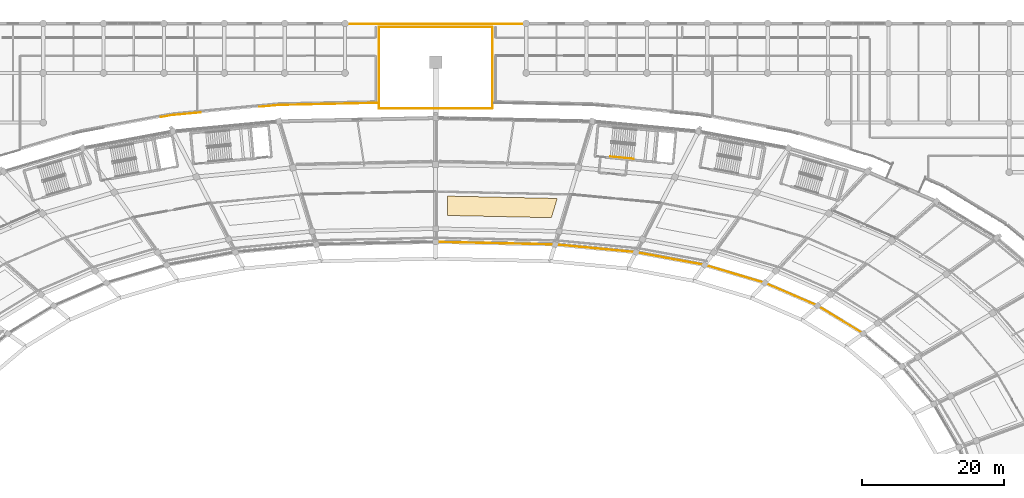
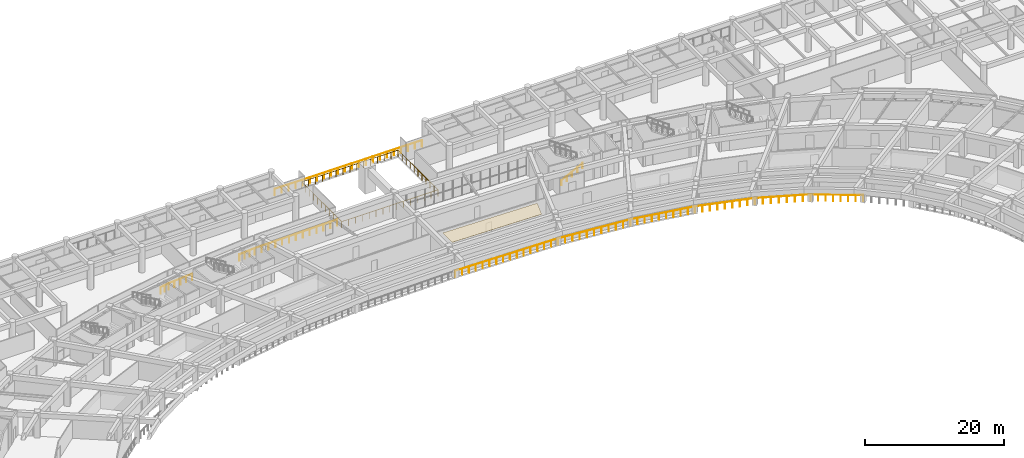
# One storey, part 141 of 145: 7 railings, 1 covering.
"""IFC4 building model written with IfcOpenShell, lengths in metres."""

import ifcopenshell
import ifcopenshell.guid

model = None  # the IFC model being written
_history = None  # IfcOwnerHistory: only IFC2X3 demands one
_inside = {}  # id of a spatial element -> (the spatial element, [elements in it])
_under = {}  # id of a project, library or spatial element -> (it, [spatial elements below it])
_declared = {}  # id of a project -> (the project, [libraries it declares])
_typed = {}  # id of a type object -> (the type object, [elements of that type])
_made_of = {}  # id of a material, layer set ... -> (it, [elements and type objects made of it])


def new_model(schema):
    """Start an empty IFC model of exactly this schema.

    Asked for "IFC4X3", IfcOpenShell would pick the latest addendum, in which some entities
    have other attributes; the version numbers below select the first issue.
    IFC2X3 requires an IfcOwnerHistory on every rooted entity: one is made here for all.
    """
    global model, _history
    if schema == "IFC4X3":
        model = ifcopenshell.file(schema_version=(4, 3, 0, 0))
    else:
        model = ifcopenshell.file(schema=schema)
    _inside.clear()
    _under.clear()
    _declared.clear()
    _typed.clear()
    _made_of.clear()
    _history = None
    if model.schema == "IFC2X3":
        org = make("IfcOrganization", Name="unknown")
        user = make(
            "IfcPersonAndOrganization",
            ThePerson=make("IfcPerson", FamilyName="unknown"),
            TheOrganization=org,
        )
        app = make(
            "IfcApplication",
            ApplicationDeveloper=org,
            Version="unknown",
            ApplicationFullName="unknown",
            ApplicationIdentifier="unknown",
        )
        _history = make(
            "IfcOwnerHistory",
            OwningUser=user,
            OwningApplication=app,
            ChangeAction="ADDED",
            CreationDate=0,
        )
    return model


def make(cls, **values):
    """One entity of the class cls with the attributes given. An attribute that is None is left unset."""
    return model.create_entity(
        cls, **{name: value for name, value in values.items() if value is not None}
    )


def rooted(cls, **values):
    """An entity with a GlobalId (a new one), such as an element, a storey or a relation."""
    return make(cls, GlobalId=ifcopenshell.guid.new(), OwnerHistory=_history, **values)


def si_unit(unit_type, name, prefix=None):
    """IfcSIUnit, for example si_unit("LENGTHUNIT", "METRE", prefix="MILLI")."""
    return make("IfcSIUnit", UnitType=unit_type, Prefix=prefix, Name=name)


def assignment(units):
    """IfcUnitAssignment: the units of a project."""
    return None if units is None else make("IfcUnitAssignment", Units=units)


def point(xyz):
    """IfcCartesianPoint."""
    return None if xyz is None else make("IfcCartesianPoint", Coordinates=xyz)


def direction(xyz):
    """IfcDirection."""
    return None if xyz is None else make("IfcDirection", DirectionRatios=xyz)


def frame(location, z_axis=None, x_axis=None):
    """IfcAxis2Placement3D, a coordinate frame: its origin and axes. An axis left out is left unset."""
    return make(
        "IfcAxis2Placement3D",
        Location=point(location),
        Axis=direction(z_axis),
        RefDirection=direction(x_axis),
    )


def frame_2d(location, x_axis=None):
    """IfcAxis2Placement2D, a coordinate frame in the plane: its origin and x axis."""
    return make(
        "IfcAxis2Placement2D", Location=point(location), RefDirection=direction(x_axis)
    )


def origin():
    """The frame at (0, 0, 0) with its axes left unset."""
    return frame((0.0, 0.0, 0.0))


def origin_2d():
    """The frame at (0, 0) in the plane with its x axis left unset."""
    return frame_2d((0.0, 0.0))


def place(relative_to, where):
    """IfcLocalPlacement: puts the frame where relative to a parent placement (None: the world)."""
    return make(
        "IfcLocalPlacement", PlacementRelTo=relative_to, RelativePlacement=where
    )


def context(
    kind, dimensions, precision=None, world=None, true_north=None, identifier=None
):
    """IfcGeometricRepresentationContext, for example the 3D "Model" context."""
    return make(
        "IfcGeometricRepresentationContext",
        ContextIdentifier=identifier,
        ContextType=kind,
        CoordinateSpaceDimension=dimensions,
        Precision=precision,
        WorldCoordinateSystem=world,
        TrueNorth=true_north,
    )


def subcontext(parent, identifier, kind, view, scale=None):
    """IfcGeometricRepresentationSubContext, for example "Body" below "Model"."""
    return make(
        "IfcGeometricRepresentationSubContext",
        ContextIdentifier=identifier,
        ContextType=kind,
        ParentContext=parent,
        TargetScale=scale,
        TargetView=view,
    )


def project(units=None, contexts=None):
    """IfcProject with its units and contexts."""
    return rooted(
        "IfcProject",
        Name="project",
        RepresentationContexts=contexts,
        UnitsInContext=assignment(units),
    )


def spatial(cls, under=None, at=None, **own):
    """A site, building, storey or space (cls), placed at a placement, below another one or the project."""
    s = rooted(cls, ObjectPlacement=at, **own)
    if under is not None:
        _under.setdefault(under.id(), (under, []))[1].append(s)
    return s


def polyline(points):
    """IfcPolyline through the points."""
    return make("IfcPolyline", Points=[point(p) for p in points])


def profile(cls, at=None, kind="AREA", **sizes):
    """A parametric profile (cls). Its sizes go by their IFC names, for example OverallWidth=200.0."""
    return make(cls, ProfileType=kind, Position=at, **sizes)


def circle(**sizes):
    """IfcCircleProfileDef."""
    return profile("IfcCircleProfileDef", **sizes)


def outline(outer, holes=None, kind="AREA"):
    """IfcArbitraryClosedProfileDef: a profile drawn as a closed curve; with holes, ...WithVoids."""
    if holes is None:
        return make("IfcArbitraryClosedProfileDef", ProfileType=kind, OuterCurve=outer)
    return make(
        "IfcArbitraryProfileDefWithVoids",
        ProfileType=kind,
        OuterCurve=outer,
        InnerCurves=holes,
    )


def extrude(swept, where, along, depth):
    """IfcExtrudedAreaSolid: the profile swept, set in the frame where, extruded along a direction by depth."""
    return make(
        "IfcExtrudedAreaSolid",
        SweptArea=swept,
        Position=where,
        ExtrudedDirection=direction(along),
        Depth=depth,
    )


def shape(context_of_items, identifier, shape_type, items):
    """IfcShapeRepresentation: the items that make up one representation, for example the "Body"."""
    return make(
        "IfcShapeRepresentation",
        ContextOfItems=context_of_items,
        RepresentationIdentifier=identifier,
        RepresentationType=shape_type,
        Items=items,
    )


def material(Name=None, Category=None):
    """IfcMaterial."""
    return make("IfcMaterial", Name=Name, Category=Category)


def layer(
    of_material, thickness, ventilated=None, Name=None, Category=None, Priority=None
):
    """IfcMaterialLayer: one layer of a wall or slab, of a material (None: an air gap)."""
    return make(
        "IfcMaterialLayer",
        Material=of_material,
        LayerThickness=thickness,
        IsVentilated=ventilated,
        Name=Name,
        Category=Category,
        Priority=Priority,
    )


def layer_set(layers, Name=None):
    """IfcMaterialLayerSet."""
    return make("IfcMaterialLayerSet", MaterialLayers=layers, LayerSetName=Name)


def made_of(thing, what):
    """Note that an element or type object is made of a material, layer set ...; save() writes the relation."""
    if what is not None:
        _made_of.setdefault(what.id(), (what, []))[1].append(thing)
    return thing


def type_object(cls, material=None, **own):
    """A type object (cls), such as IfcWallType, which elements share."""
    return made_of(rooted(cls, **own), material)


def element(
    cls,
    number,
    at=None,
    inside=None,
    cuts=None,
    type_object=None,
    material=None,
    context=None,
    identifier="Body",
    shape_type=None,
    held_by="IfcProductDefinitionShape",
    body=None,
    shapes=None,
    **own,
):
    """One element of the class cls, such as IfcWall. Its Tag is "e" and its number.

    at: its placement. inside: the storey or other place that contains it. cuts: it is an
    opening in that element (IfcRelVoidsElement). A single representation is given by context,
    identifier, shape_type and body (its items); several are given by shapes. held_by: the class
    of the entity that holds the representations. save() writes the other relations.
    """
    e = rooted(cls, Tag="e%d" % number, ObjectPlacement=at, **own)
    if body is not None:
        shapes = [shape(context, identifier, shape_type, body)]
    if shapes is not None:
        e.Representation = make(held_by, Representations=shapes)
    if inside is not None:
        _inside.setdefault(inside.id(), (inside, []))[1].append(e)
    if cuts is not None:
        rooted(
            "IfcRelVoidsElement", RelatingBuildingElement=cuts, RelatedOpeningElement=e
        )
    if type_object is not None:
        _typed.setdefault(type_object.id(), (type_object, []))[1].append(e)
    return made_of(e, material)


def aggregate(whole, parts):
    """IfcRelAggregates: a whole, such as a stair, and the parts it consists of."""
    return rooted("IfcRelAggregates", RelatingObject=whole, RelatedObjects=parts)


def save(model, path):
    """Write the relations noted so far, then the file.

    IfcRelAggregates (storeys below a building ...), IfcRelContainedInSpatialStructure (elements
    in a storey), IfcRelDefinesByType, IfcRelAssociatesMaterial and IfcRelDeclares: one each for
    every whole, place, type object, material and project.
    """
    for whole, parts in _under.values():
        aggregate(whole, parts)
    for where, things in _inside.values():
        rooted(
            "IfcRelContainedInSpatialStructure",
            RelatedElements=things,
            RelatingStructure=where,
        )
    for kind, things in _typed.values():
        rooted("IfcRelDefinesByType", RelatedObjects=things, RelatingType=kind)
    for what, things in _made_of.values():
        rooted("IfcRelAssociatesMaterial", RelatedObjects=things, RelatingMaterial=what)
    for by, libraries in _declared.values():
        rooted("IfcRelDeclares", RelatingContext=by, RelatedDefinitions=libraries)
    model.write(path)


model = new_model("IFC4")

# Units and contexts
model_context = context("Model", 3, precision=1e-05, world=origin(), true_north=direction((0.0, 1.0)))
body_context = subcontext(model_context, "Body", "Model", "MODEL_VIEW")
ifc_project = project(units=[si_unit("LENGTHUNIT", "METRE"), si_unit("AREAUNIT", "SQUARE_METRE"), si_unit("VOLUMEUNIT", "CUBIC_METRE"), si_unit("PLANEANGLEUNIT", "RADIAN"), si_unit("MASSUNIT", "GRAM", prefix="KILO")], contexts=[model_context])

# Site, building, storey
site_placement = place(None, origin())
site = spatial("IfcSite", under=ifc_project, at=site_placement, CompositionType="ELEMENT")
building_placement = place(site_placement, origin())
building = spatial("IfcBuilding", under=site, at=building_placement, Name="Mphavela Belvedere Stadium", CompositionType="ELEMENT")
storey_placement = place(building_placement, frame((0.0, 0.0, 10.199951171875)))
storey = spatial("IfcBuildingStorey", under=building, at=storey_placement, Name="L02", CompositionType="ELEMENT", Elevation=10.199951171875)

# Covering
ifc_material_1 = material(Name="Perforated acoustic mineral ceiling tile")
ifc_layer = layer(ifc_material_1, 0.0400390625)
ifc_layer_set = layer_set([ifc_layer], Name="Perforated acoustic mineral ceiling tile")
covering_type = type_object("IfcCoveringType", Name="COV-CEILING-ACOUSTIC", PredefinedType="CEILING", material=ifc_layer_set)
covering_placement = place(storey_placement, frame((0.0, 0.0, 3.199951171875)))
element("IfcCovering", 1, at=covering_placement, inside=storey, type_object=covering_type, Name="Concourse acoustic ceiling L02-12", PredefinedType="CEILING", context=body_context, shape_type="SweptSolid", body=[
    extrude(outline(polyline([(131.334228515625, 146.57958984375), (116.656005859375, 146.8955078125), (116.656005859375, 149.631103515625), (132.155517578125, 149.29736328125), (131.334228515625, 146.57958984375)])), origin(), (0.0, 0.0, 1.0), 0.0400390625),
])

# Railings
ifc_material_2 = material(Name="Bronze and laminated glass stadium balustrade", Category="glass")
railing_type_1 = type_object("IfcRailingType", Name="RAL-BALUSTRADE-1120", PredefinedType="BALUSTRADE", material=ifc_material_2)
railing_1_placement = place(storey_placement, frame((107.0, 162.0, 0.0)))
element("IfcRailing", 2, at=railing_1_placement, inside=storey, type_object=railing_type_1, Name="North Mast and Ceremonial End Forecourt court balustrade L02-A", PredefinedType="BALUSTRADE", context=body_context, shape_type="SweptSolid", body=[
    extrude(circle(Radius=0.02392578125, at=origin_2d()), frame((0.0, 0.0, 1.09619140625), z_axis=(1.0, 0.0, 0.0), x_axis=(0.0, 1.0, 0.0)), (0.0, 0.0, 1.0), 16.0),
    extrude(circle(Radius=0.02392578125, at=origin_2d()), frame((16.0, 0.0, 1.09619140625), z_axis=(0.0, 1.0, 0.0), x_axis=(-1.0, 0.0, 0.0)), (0.0, 0.0, 1.0), 11.419921875),
    extrude(circle(Radius=0.02099609375, at=origin_2d()), origin(), (0.0, 0.0, 1.0), 1.072021484375),
    extrude(circle(Radius=0.02099609375, at=origin_2d()), frame((1.142822265625, 0.0, 0.0)), (0.0, 0.0, 1.0), 1.072021484375),
    extrude(circle(Radius=0.02099609375, at=origin_2d()), frame((2.28564453125, 0.0, 0.0)), (0.0, 0.0, 1.0), 1.072021484375),
    extrude(circle(Radius=0.02099609375, at=origin_2d()), frame((3.428466796875, 0.0, 0.0)), (0.0, 0.0, 1.0), 1.072021484375),
    extrude(circle(Radius=0.02099609375, at=origin_2d()), frame((4.571533203125, 0.0, 0.0)), (0.0, 0.0, 1.0), 1.072021484375),
    extrude(circle(Radius=0.02099609375, at=origin_2d()), frame((5.71435546875, 0.0, 0.0)), (0.0, 0.0, 1.0), 1.072021484375),
    extrude(circle(Radius=0.02099609375, at=origin_2d()), frame((6.857177734375, 0.0, 0.0)), (0.0, 0.0, 1.0), 1.072021484375),
    extrude(circle(Radius=0.02099609375, at=origin_2d()), frame((8.0, 0.0, 0.0)), (0.0, 0.0, 1.0), 1.072021484375),
    extrude(circle(Radius=0.02099609375, at=origin_2d()), frame((9.142822265625, 0.0, 0.0)), (0.0, 0.0, 1.0), 1.072021484375),
    extrude(circle(Radius=0.02099609375, at=origin_2d()), frame((10.28564453125, 0.0, 0.0)), (0.0, 0.0, 1.0), 1.072021484375),
    extrude(circle(Radius=0.02099609375, at=origin_2d()), frame((11.428466796875, 0.0, 0.0)), (0.0, 0.0, 1.0), 1.072021484375),
    extrude(circle(Radius=0.02099609375, at=origin_2d()), frame((12.571533203125, 0.0, 0.0)), (0.0, 0.0, 1.0), 1.072021484375),
    extrude(circle(Radius=0.02099609375, at=origin_2d()), frame((13.71435546875, 0.0, 0.0)), (0.0, 0.0, 1.0), 1.072021484375),
    extrude(circle(Radius=0.02099609375, at=origin_2d()), frame((14.857177734375, 0.0, 0.0)), (0.0, 0.0, 1.0), 1.072021484375),
    extrude(circle(Radius=0.02099609375, at=origin_2d()), frame((16.0, 0.0, 0.0)), (0.0, 0.0, 1.0), 1.072021484375),
    extrude(circle(Radius=0.02099609375, at=origin_2d()), frame((16.0, 1.14208984375, 0.0)), (0.0, 0.0, 1.0), 1.072021484375),
    extrude(circle(Radius=0.02099609375, at=origin_2d()), frame((16.0, 2.283935546875, 0.0)), (0.0, 0.0, 1.0), 1.072021484375),
    extrude(circle(Radius=0.02099609375, at=origin_2d()), frame((16.0, 3.426025390625, 0.0)), (0.0, 0.0, 1.0), 1.072021484375),
    extrude(circle(Radius=0.02099609375, at=origin_2d()), frame((16.0, 4.56787109375, 0.0)), (0.0, 0.0, 1.0), 1.072021484375),
    extrude(circle(Radius=0.02099609375, at=origin_2d()), frame((16.0, 5.7099609375, 0.0)), (0.0, 0.0, 1.0), 1.072021484375),
    extrude(circle(Radius=0.02099609375, at=origin_2d()), frame((16.0, 6.85205078125, 0.0)), (0.0, 0.0, 1.0), 1.072021484375),
    extrude(circle(Radius=0.02099609375, at=origin_2d()), frame((16.0, 7.993896484375, 0.0)), (0.0, 0.0, 1.0), 1.072021484375),
    extrude(circle(Radius=0.02099609375, at=origin_2d()), frame((16.0, 9.135986328125, 0.0)), (0.0, 0.0, 1.0), 1.072021484375),
    extrude(circle(Radius=0.02099609375, at=origin_2d()), frame((16.0, 10.27783203125, 0.0)), (0.0, 0.0, 1.0), 1.072021484375),
    extrude(circle(Radius=0.02099609375, at=origin_2d()), frame((16.0, 11.419921875, 0.0)), (0.0, 0.0, 1.0), 1.072021484375),
])
railing_2_placement = place(storey_placement, frame((123.0, 173.5, 0.0)))
element("IfcRailing", 3, at=railing_2_placement, inside=storey, type_object=railing_type_1, Name="North Mast and Ceremonial End Forecourt court balustrade L02-B", PredefinedType="BALUSTRADE", context=body_context, shape_type="SweptSolid", body=[
    extrude(circle(Radius=0.02392578125, at=origin_2d()), frame((0.0, 0.0, 1.09619140625), z_axis=(-1.0, 0.0, 0.0), x_axis=(0.0, -1.0, 0.0)), (0.0, 0.0, 1.0), 16.0),
    extrude(circle(Radius=0.02392578125, at=origin_2d()), frame((-16.0, 0.0, 1.09619140625), z_axis=(0.0, -1.0, 0.0), x_axis=(1.0, 0.0, 0.0)), (0.0, 0.0, 1.0), 11.419921875),
    extrude(circle(Radius=0.02099609375, at=origin_2d()), origin(), (0.0, 0.0, 1.0), 1.072021484375),
    extrude(circle(Radius=0.02099609375, at=origin_2d()), frame((-1.142822265625, 0.0, 0.0)), (0.0, 0.0, 1.0), 1.072021484375),
    extrude(circle(Radius=0.02099609375, at=origin_2d()), frame((-2.28564453125, 0.0, 0.0)), (0.0, 0.0, 1.0), 1.072021484375),
    extrude(circle(Radius=0.02099609375, at=origin_2d()), frame((-3.428466796875, 0.0, 0.0)), (0.0, 0.0, 1.0), 1.072021484375),
    extrude(circle(Radius=0.02099609375, at=origin_2d()), frame((-4.571533203125, 0.0, 0.0)), (0.0, 0.0, 1.0), 1.072021484375),
    extrude(circle(Radius=0.02099609375, at=origin_2d()), frame((-5.71435546875, 0.0, 0.0)), (0.0, 0.0, 1.0), 1.072021484375),
    extrude(circle(Radius=0.02099609375, at=origin_2d()), frame((-6.857177734375, 0.0, 0.0)), (0.0, 0.0, 1.0), 1.072021484375),
    extrude(circle(Radius=0.02099609375, at=origin_2d()), frame((-8.0, 0.0, 0.0)), (0.0, 0.0, 1.0), 1.072021484375),
    extrude(circle(Radius=0.02099609375, at=origin_2d()), frame((-9.142822265625, 0.0, 0.0)), (0.0, 0.0, 1.0), 1.072021484375),
    extrude(circle(Radius=0.02099609375, at=origin_2d()), frame((-10.28564453125, 0.0, 0.0)), (0.0, 0.0, 1.0), 1.072021484375),
    extrude(circle(Radius=0.02099609375, at=origin_2d()), frame((-11.428466796875, 0.0, 0.0)), (0.0, 0.0, 1.0), 1.072021484375),
    extrude(circle(Radius=0.02099609375, at=origin_2d()), frame((-12.571533203125, 0.0, 0.0)), (0.0, 0.0, 1.0), 1.072021484375),
    extrude(circle(Radius=0.02099609375, at=origin_2d()), frame((-13.71435546875, 0.0, 0.0)), (0.0, 0.0, 1.0), 1.072021484375),
    extrude(circle(Radius=0.02099609375, at=origin_2d()), frame((-14.857177734375, 0.0, 0.0)), (0.0, 0.0, 1.0), 1.072021484375),
    extrude(circle(Radius=0.02099609375, at=origin_2d()), frame((-16.0, 0.0, 0.0)), (0.0, 0.0, 1.0), 1.072021484375),
    extrude(circle(Radius=0.02099609375, at=origin_2d()), frame((-16.0, -1.14208984375, 0.0)), (0.0, 0.0, 1.0), 1.072021484375),
    extrude(circle(Radius=0.02099609375, at=origin_2d()), frame((-16.0, -2.283935546875, 0.0)), (0.0, 0.0, 1.0), 1.072021484375),
    extrude(circle(Radius=0.02099609375, at=origin_2d()), frame((-16.0, -3.426025390625, 0.0)), (0.0, 0.0, 1.0), 1.072021484375),
    extrude(circle(Radius=0.02099609375, at=origin_2d()), frame((-16.0, -4.56787109375, 0.0)), (0.0, 0.0, 1.0), 1.072021484375),
    extrude(circle(Radius=0.02099609375, at=origin_2d()), frame((-16.0, -5.7099609375, 0.0)), (0.0, 0.0, 1.0), 1.072021484375),
    extrude(circle(Radius=0.02099609375, at=origin_2d()), frame((-16.0, -6.85205078125, 0.0)), (0.0, 0.0, 1.0), 1.072021484375),
    extrude(circle(Radius=0.02099609375, at=origin_2d()), frame((-16.0, -7.993896484375, 0.0)), (0.0, 0.0, 1.0), 1.072021484375),
    extrude(circle(Radius=0.02099609375, at=origin_2d()), frame((-16.0, -9.135986328125, 0.0)), (0.0, 0.0, 1.0), 1.072021484375),
    extrude(circle(Radius=0.02099609375, at=origin_2d()), frame((-16.0, -10.27783203125, 0.0)), (0.0, 0.0, 1.0), 1.072021484375),
    extrude(circle(Radius=0.02099609375, at=origin_2d()), frame((-16.0, -11.419921875, 0.0)), (0.0, 0.0, 1.0), 1.072021484375),
])
railing_3_placement = place(storey_placement, frame((175.33740234375, 130.2314453125, 0.0)))
element("IfcRailing", 4, at=railing_3_placement, inside=storey, type_object=railing_type_1, Name="Bowl safety balustrade l02_bowl S2", PredefinedType="BALUSTRADE", context=body_context, shape_type="SweptSolid", body=[
    extrude(circle(Radius=0.02392578125, at=origin_2d()), frame((0.0, 0.0, 1.09619140625), z_axis=(-0.854325951403, 0.51973759606, 0.0), x_axis=(-0.51973759606, -0.854325951403, 0.0)), (0.0, 0.0, 1.0), 7.5478515625),
    extrude(circle(Radius=0.02392578125, at=origin_2d()), frame((-6.4482421875, 3.9228515625, 1.09619140625), z_axis=(-0.917503251148, 0.397728279273, 0.0), x_axis=(-0.397728279273, -0.917503251148, 0.0)), (0.0, 0.0, 1.0), 8.107666015625),
    extrude(circle(Radius=0.02392578125, at=origin_2d()), frame((-13.886962890625, 7.1474609375, 1.09619140625), z_axis=(-0.958656973737, 0.284564240033, 0.0), x_axis=(-0.284564240033, -0.958656973737, 0.0)), (0.0, 0.0, 1.0), 8.854736328125),
    extrude(circle(Radius=0.02392578125, at=origin_2d()), frame((-22.375732421875, 9.667236328125, 1.09619140625), z_axis=(-0.983092994202, 0.183106976248, 0.0), x_axis=(-0.183106976248, -0.983092994202, 0.0)), (0.0, 0.0, 1.0), 9.869140625),
    extrude(circle(Radius=0.02392578125, at=origin_2d()), frame((-32.078125, 11.474365234375, 1.09619140625), z_axis=(-0.995485216305, 0.094916722014, 0.0), x_axis=(-0.094916722014, -0.995485216305, 0.0)), (0.0, 0.0, 1.0), 11.453857421875),
    extrude(circle(Radius=0.02392578125, at=origin_2d()), frame((-43.480224609375, 12.5615234375, 1.09619140625), z_axis=(-0.9997681798, 0.021531062658, 0.0), x_axis=(-0.021531062658, -0.9997681798, 0.0)), (0.0, 0.0, 1.0), 16.861083984375),
    extrude(circle(Radius=0.02099609375, at=origin_2d()), origin(), (0.0, 0.0, 1.0), 1.072021484375),
    extrude(circle(Radius=0.02099609375, at=origin_2d()), frame((-0.921142578125, 0.560302734375, 0.0)), (0.0, 0.0, 1.0), 1.072021484375),
    extrude(circle(Radius=0.02099609375, at=origin_2d()), frame((-1.84228515625, 1.120849609375, 0.0)), (0.0, 0.0, 1.0), 1.072021484375),
    extrude(circle(Radius=0.02099609375, at=origin_2d()), frame((-2.763427734375, 1.68115234375, 0.0)), (0.0, 0.0, 1.0), 1.072021484375),
    extrude(circle(Radius=0.02099609375, at=origin_2d()), frame((-3.684814453125, 2.24169921875, 0.0)), (0.0, 0.0, 1.0), 1.072021484375),
    extrude(circle(Radius=0.02099609375, at=origin_2d()), frame((-4.60595703125, 2.802001953125, 0.0)), (0.0, 0.0, 1.0), 1.072021484375),
    extrude(circle(Radius=0.02099609375, at=origin_2d()), frame((-5.527099609375, 3.362548828125, 0.0)), (0.0, 0.0, 1.0), 1.072021484375),
    extrude(circle(Radius=0.02099609375, at=origin_2d()), frame((-6.4482421875, 3.9228515625, 0.0)), (0.0, 0.0, 1.0), 1.072021484375),
    extrude(circle(Radius=0.02099609375, at=origin_2d()), frame((-7.510986328125, 4.383544921875, 0.0)), (0.0, 0.0, 1.0), 1.072021484375),
    extrude(circle(Radius=0.02099609375, at=origin_2d()), frame((-8.573486328125, 4.84423828125, 0.0)), (0.0, 0.0, 1.0), 1.072021484375),
    extrude(circle(Radius=0.02099609375, at=origin_2d()), frame((-9.63623046875, 5.304931640625, 0.0)), (0.0, 0.0, 1.0), 1.072021484375),
    extrude(circle(Radius=0.02099609375, at=origin_2d()), frame((-10.698974609375, 5.765380859375, 0.0)), (0.0, 0.0, 1.0), 1.072021484375),
    extrude(circle(Radius=0.02099609375, at=origin_2d()), frame((-11.76171875, 6.22607421875, 0.0)), (0.0, 0.0, 1.0), 1.072021484375),
    extrude(circle(Radius=0.02099609375, at=origin_2d()), frame((-12.82421875, 6.686767578125, 0.0)), (0.0, 0.0, 1.0), 1.072021484375),
    extrude(circle(Radius=0.02099609375, at=origin_2d()), frame((-13.886962890625, 7.1474609375, 0.0)), (0.0, 0.0, 1.0), 1.072021484375),
    extrude(circle(Radius=0.02099609375, at=origin_2d()), frame((-14.947998046875, 7.46240234375, 0.0)), (0.0, 0.0, 1.0), 1.072021484375),
    extrude(circle(Radius=0.02099609375, at=origin_2d()), frame((-16.00927734375, 7.77734375, 0.0)), (0.0, 0.0, 1.0), 1.072021484375),
    extrude(circle(Radius=0.02099609375, at=origin_2d()), frame((-17.0703125, 8.09228515625, 0.0)), (0.0, 0.0, 1.0), 1.072021484375),
    extrude(circle(Radius=0.02099609375, at=origin_2d()), frame((-18.13134765625, 8.4072265625, 0.0)), (0.0, 0.0, 1.0), 1.072021484375),
    extrude(circle(Radius=0.02099609375, at=origin_2d()), frame((-19.1923828125, 8.722412109375, 0.0)), (0.0, 0.0, 1.0), 1.072021484375),
    extrude(circle(Radius=0.02099609375, at=origin_2d()), frame((-20.25341796875, 9.037353515625, 0.0)), (0.0, 0.0, 1.0), 1.072021484375),
    extrude(circle(Radius=0.02099609375, at=origin_2d()), frame((-21.314697265625, 9.352294921875, 0.0)), (0.0, 0.0, 1.0), 1.072021484375),
    extrude(circle(Radius=0.02099609375, at=origin_2d()), frame((-22.375732421875, 9.667236328125, 0.0)), (0.0, 0.0, 1.0), 1.072021484375),
    extrude(circle(Radius=0.02099609375, at=origin_2d()), frame((-23.453857421875, 9.867919921875, 0.0)), (0.0, 0.0, 1.0), 1.072021484375),
    extrude(circle(Radius=0.02099609375, at=origin_2d()), frame((-24.53173828125, 10.06884765625, 0.0)), (0.0, 0.0, 1.0), 1.072021484375),
    extrude(circle(Radius=0.02099609375, at=origin_2d()), frame((-25.60986328125, 10.26953125, 0.0)), (0.0, 0.0, 1.0), 1.072021484375),
    extrude(circle(Radius=0.02099609375, at=origin_2d()), frame((-26.68798828125, 10.470458984375, 0.0)), (0.0, 0.0, 1.0), 1.072021484375),
    extrude(circle(Radius=0.02099609375, at=origin_2d()), frame((-27.765869140625, 10.671142578125, 0.0)), (0.0, 0.0, 1.0), 1.072021484375),
    extrude(circle(Radius=0.02099609375, at=origin_2d()), frame((-28.843994140625, 10.8720703125, 0.0)), (0.0, 0.0, 1.0), 1.072021484375),
    extrude(circle(Radius=0.02099609375, at=origin_2d()), frame((-29.922119140625, 11.07275390625, 0.0)), (0.0, 0.0, 1.0), 1.072021484375),
    extrude(circle(Radius=0.02099609375, at=origin_2d()), frame((-31.0, 11.273681640625, 0.0)), (0.0, 0.0, 1.0), 1.072021484375),
    extrude(circle(Radius=0.02099609375, at=origin_2d()), frame((-32.078125, 11.474365234375, 0.0)), (0.0, 0.0, 1.0), 1.072021484375),
    extrude(circle(Radius=0.02099609375, at=origin_2d()), frame((-33.21826171875, 11.5830078125, 0.0)), (0.0, 0.0, 1.0), 1.072021484375),
    extrude(circle(Radius=0.02099609375, at=origin_2d()), frame((-34.358642578125, 11.69189453125, 0.0)), (0.0, 0.0, 1.0), 1.072021484375),
    extrude(circle(Radius=0.02099609375, at=origin_2d()), frame((-35.498779296875, 11.800537109375, 0.0)), (0.0, 0.0, 1.0), 1.072021484375),
    extrude(circle(Radius=0.02099609375, at=origin_2d()), frame((-36.638916015625, 11.9091796875, 0.0)), (0.0, 0.0, 1.0), 1.072021484375),
    extrude(circle(Radius=0.02099609375, at=origin_2d()), frame((-37.779296875, 12.01806640625, 0.0)), (0.0, 0.0, 1.0), 1.072021484375),
    extrude(circle(Radius=0.02099609375, at=origin_2d()), frame((-38.91943359375, 12.126708984375, 0.0)), (0.0, 0.0, 1.0), 1.072021484375),
    extrude(circle(Radius=0.02099609375, at=origin_2d()), frame((-40.0595703125, 12.2353515625, 0.0)), (0.0, 0.0, 1.0), 1.072021484375),
    extrude(circle(Radius=0.02099609375, at=origin_2d()), frame((-41.19970703125, 12.343994140625, 0.0)), (0.0, 0.0, 1.0), 1.072021484375),
    extrude(circle(Radius=0.02099609375, at=origin_2d()), frame((-42.340087890625, 12.452880859375, 0.0)), (0.0, 0.0, 1.0), 1.072021484375),
    extrude(circle(Radius=0.02099609375, at=origin_2d()), frame((-43.480224609375, 12.5615234375, 0.0)), (0.0, 0.0, 1.0), 1.072021484375),
    extrude(circle(Radius=0.02099609375, at=origin_2d()), frame((-44.60400390625, 12.585693359375, 0.0)), (0.0, 0.0, 1.0), 1.072021484375),
    extrude(circle(Radius=0.02099609375, at=origin_2d()), frame((-45.727783203125, 12.60986328125, 0.0)), (0.0, 0.0, 1.0), 1.072021484375),
    extrude(circle(Radius=0.02099609375, at=origin_2d()), frame((-46.8515625, 12.634033203125, 0.0)), (0.0, 0.0, 1.0), 1.072021484375),
    extrude(circle(Radius=0.02099609375, at=origin_2d()), frame((-47.9755859375, 12.658447265625, 0.0)), (0.0, 0.0, 1.0), 1.072021484375),
    extrude(circle(Radius=0.02099609375, at=origin_2d()), frame((-49.099365234375, 12.6826171875, 0.0)), (0.0, 0.0, 1.0), 1.072021484375),
    extrude(circle(Radius=0.02099609375, at=origin_2d()), frame((-50.22314453125, 12.706787109375, 0.0)), (0.0, 0.0, 1.0), 1.072021484375),
    extrude(circle(Radius=0.02099609375, at=origin_2d()), frame((-51.346923828125, 12.73095703125, 0.0)), (0.0, 0.0, 1.0), 1.072021484375),
    extrude(circle(Radius=0.02099609375, at=origin_2d()), frame((-52.470703125, 12.755126953125, 0.0)), (0.0, 0.0, 1.0), 1.072021484375),
    extrude(circle(Radius=0.02099609375, at=origin_2d()), frame((-53.594482421875, 12.779296875, 0.0)), (0.0, 0.0, 1.0), 1.072021484375),
    extrude(circle(Radius=0.02099609375, at=origin_2d()), frame((-54.71826171875, 12.803466796875, 0.0)), (0.0, 0.0, 1.0), 1.072021484375),
    extrude(circle(Radius=0.02099609375, at=origin_2d()), frame((-55.842041015625, 12.82763671875, 0.0)), (0.0, 0.0, 1.0), 1.072021484375),
    extrude(circle(Radius=0.02099609375, at=origin_2d()), frame((-56.966064453125, 12.85205078125, 0.0)), (0.0, 0.0, 1.0), 1.072021484375),
    extrude(circle(Radius=0.02099609375, at=origin_2d()), frame((-58.08984375, 12.876220703125, 0.0)), (0.0, 0.0, 1.0), 1.072021484375),
    extrude(circle(Radius=0.02099609375, at=origin_2d()), frame((-59.213623046875, 12.900390625, 0.0)), (0.0, 0.0, 1.0), 1.072021484375),
    extrude(circle(Radius=0.02099609375, at=origin_2d()), frame((-60.33740234375, 12.924560546875, 0.0)), (0.0, 0.0, 1.0), 1.072021484375),
])
railing_4_placement = place(storey_placement, frame((106.719970703125, 162.772216796875, 0.0)))
element("IfcRailing", 5, at=railing_4_placement, inside=storey, type_object=railing_type_1, Name="Peristyle wing gallery edge balustrade L02-30", PredefinedType="BALUSTRADE", context=body_context, shape_type="SweptSolid", body=[
    extrude(circle(Radius=0.02392578125, at=origin_2d()), frame((0.0, 0.0, 1.09619140625), z_axis=(-0.999768449316, -0.021518544383, 0.0), x_axis=(0.021518544383, -0.999768449316, 0.0)), (0.0, 0.0, 1.0), 13.886962890625),
    extrude(circle(Radius=0.02392578125, at=origin_2d()), frame((-13.8837890625, -0.298828125, 1.09619140625), z_axis=(-0.995701021034, -0.09262546471, 0.0), x_axis=(0.09262546471, -0.995701021034, 0.0)), (0.0, 0.0, 1.0), 2.685791015625),
    extrude(circle(Radius=0.02099609375, at=origin_2d()), origin(), (0.0, 0.0, 1.0), 1.072021484375),
    extrude(circle(Radius=0.02099609375, at=origin_2d()), frame((-1.156982421875, -0.02490234375, 0.0)), (0.0, 0.0, 1.0), 1.072021484375),
    extrude(circle(Radius=0.02099609375, at=origin_2d()), frame((-2.31396484375, -0.0498046875, 0.0)), (0.0, 0.0, 1.0), 1.072021484375),
    extrude(circle(Radius=0.02099609375, at=origin_2d()), frame((-3.470947265625, -0.07470703125, 0.0)), (0.0, 0.0, 1.0), 1.072021484375),
    extrude(circle(Radius=0.02099609375, at=origin_2d()), frame((-4.6279296875, -0.099609375, 0.0)), (0.0, 0.0, 1.0), 1.072021484375),
    extrude(circle(Radius=0.02099609375, at=origin_2d()), frame((-5.784912109375, -0.12451171875, 0.0)), (0.0, 0.0, 1.0), 1.072021484375),
    extrude(circle(Radius=0.02099609375, at=origin_2d()), frame((-6.94189453125, -0.1494140625, 0.0)), (0.0, 0.0, 1.0), 1.072021484375),
    extrude(circle(Radius=0.02099609375, at=origin_2d()), frame((-8.098876953125, -0.17431640625, 0.0)), (0.0, 0.0, 1.0), 1.072021484375),
    extrude(circle(Radius=0.02099609375, at=origin_2d()), frame((-9.255859375, -0.19921875, 0.0)), (0.0, 0.0, 1.0), 1.072021484375),
    extrude(circle(Radius=0.02099609375, at=origin_2d()), frame((-10.412841796875, -0.22412109375, 0.0)), (0.0, 0.0, 1.0), 1.072021484375),
    extrude(circle(Radius=0.02099609375, at=origin_2d()), frame((-11.56982421875, -0.2490234375, 0.0)), (0.0, 0.0, 1.0), 1.072021484375),
    extrude(circle(Radius=0.02099609375, at=origin_2d()), frame((-12.726806640625, -0.27392578125, 0.0)), (0.0, 0.0, 1.0), 1.072021484375),
    extrude(circle(Radius=0.02099609375, at=origin_2d()), frame((-13.8837890625, -0.298828125, 0.0)), (0.0, 0.0, 1.0), 1.072021484375),
    extrude(circle(Radius=0.02099609375, at=origin_2d()), frame((-14.775146484375, -0.3818359375, 0.0)), (0.0, 0.0, 1.0), 1.072021484375),
    extrude(circle(Radius=0.02099609375, at=origin_2d()), frame((-15.666748046875, -0.464599609375, 0.0)), (0.0, 0.0, 1.0), 1.072021484375),
    extrude(circle(Radius=0.02099609375, at=origin_2d()), frame((-16.55810546875, -0.547607421875, 0.0)), (0.0, 0.0, 1.0), 1.072021484375),
])
railing_5_placement = place(storey_placement, frame((81.826904296875, 161.4296875, 0.0)))
element("IfcRailing", 6, at=railing_5_placement, inside=storey, type_object=railing_type_1, Name="Peristyle wing gallery edge balustrade L02-31", PredefinedType="BALUSTRADE", context=body_context, shape_type="SweptSolid", body=[
    extrude(circle(Radius=0.02392578125, at=origin_2d()), frame((0.0, 0.0, 1.09619140625), z_axis=(-0.995482726016, -0.094942836503, 0.0), x_axis=(0.094942836503, -0.995482726016, 0.0)), (0.0, 0.0, 1.0), 4.135009765625),
    extrude(circle(Radius=0.02392578125, at=origin_2d()), frame((-4.1162109375, -0.392578125, 1.09619140625), z_axis=(-0.984163739647, -0.177261765658, 0.0), x_axis=(0.177261765658, -0.984163739647, 0.0)), (0.0, 0.0, 1.0), 1.52197265625),
    extrude(circle(Radius=0.02099609375, at=origin_2d()), origin(), (0.0, 0.0, 1.0), 1.072021484375),
    extrude(circle(Radius=0.02099609375, at=origin_2d()), frame((-1.029052734375, -0.09814453125, 0.0)), (0.0, 0.0, 1.0), 1.072021484375),
    extrude(circle(Radius=0.02099609375, at=origin_2d()), frame((-2.05810546875, -0.1962890625, 0.0)), (0.0, 0.0, 1.0), 1.072021484375),
    extrude(circle(Radius=0.02099609375, at=origin_2d()), frame((-3.087158203125, -0.29443359375, 0.0)), (0.0, 0.0, 1.0), 1.072021484375),
    extrude(circle(Radius=0.02099609375, at=origin_2d()), frame((-4.1162109375, -0.392578125, 0.0)), (0.0, 0.0, 1.0), 1.072021484375),
    extrude(circle(Radius=0.02099609375, at=origin_2d()), frame((-4.865234375, -0.52734375, 0.0)), (0.0, 0.0, 1.0), 1.072021484375),
    extrude(circle(Radius=0.02099609375, at=origin_2d()), frame((-5.614013671875, -0.662353515625, 0.0)), (0.0, 0.0, 1.0), 1.072021484375),
])
railing_6_placement = place(storey_placement, frame((102.765380859375, 173.919921875, 0.0)))
element("IfcRailing", 7, at=railing_6_placement, inside=storey, type_object=railing_type_1, Name="Peristyle wing gallery edge balustrade L02-44", PredefinedType="BALUSTRADE", context=body_context, shape_type="SweptSolid", body=[
    extrude(circle(Radius=0.02392578125, at=origin_2d()), frame((0.0, 0.0, 1.09619140625), z_axis=(1.0, 0.0, 0.0), x_axis=(0.0, 1.0, 0.0)), (0.0, 0.0, 1.0), 24.46923828125),
    extrude(circle(Radius=0.02099609375, at=origin_2d()), origin(), (0.0, 0.0, 1.0), 1.072021484375),
    extrude(circle(Radius=0.02099609375, at=origin_2d()), frame((1.165283203125, 0.0, 0.0)), (0.0, 0.0, 1.0), 1.072021484375),
    extrude(circle(Radius=0.02099609375, at=origin_2d()), frame((2.330322265625, 0.0, 0.0)), (0.0, 0.0, 1.0), 1.072021484375),
    extrude(circle(Radius=0.02099609375, at=origin_2d()), frame((3.49560546875, 0.0, 0.0)), (0.0, 0.0, 1.0), 1.072021484375),
    extrude(circle(Radius=0.02099609375, at=origin_2d()), frame((4.660888671875, 0.0, 0.0)), (0.0, 0.0, 1.0), 1.072021484375),
    extrude(circle(Radius=0.02099609375, at=origin_2d()), frame((5.825927734375, 0.0, 0.0)), (0.0, 0.0, 1.0), 1.072021484375),
    extrude(circle(Radius=0.02099609375, at=origin_2d()), frame((6.9912109375, 0.0, 0.0)), (0.0, 0.0, 1.0), 1.072021484375),
    extrude(circle(Radius=0.02099609375, at=origin_2d()), frame((8.156494140625, 0.0, 0.0)), (0.0, 0.0, 1.0), 1.072021484375),
    extrude(circle(Radius=0.02099609375, at=origin_2d()), frame((9.321533203125, 0.0, 0.0)), (0.0, 0.0, 1.0), 1.072021484375),
    extrude(circle(Radius=0.02099609375, at=origin_2d()), frame((10.48681640625, 0.0, 0.0)), (0.0, 0.0, 1.0), 1.072021484375),
    extrude(circle(Radius=0.02099609375, at=origin_2d()), frame((11.652099609375, 0.0, 0.0)), (0.0, 0.0, 1.0), 1.072021484375),
    extrude(circle(Radius=0.02099609375, at=origin_2d()), frame((12.817138671875, 0.0, 0.0)), (0.0, 0.0, 1.0), 1.072021484375),
    extrude(circle(Radius=0.02099609375, at=origin_2d()), frame((13.982421875, 0.0, 0.0)), (0.0, 0.0, 1.0), 1.072021484375),
    extrude(circle(Radius=0.02099609375, at=origin_2d()), frame((15.147705078125, 0.0, 0.0)), (0.0, 0.0, 1.0), 1.072021484375),
    extrude(circle(Radius=0.02099609375, at=origin_2d()), frame((16.312744140625, 0.0, 0.0)), (0.0, 0.0, 1.0), 1.072021484375),
    extrude(circle(Radius=0.02099609375, at=origin_2d()), frame((17.47802734375, 0.0, 0.0)), (0.0, 0.0, 1.0), 1.072021484375),
    extrude(circle(Radius=0.02099609375, at=origin_2d()), frame((18.643310546875, 0.0, 0.0)), (0.0, 0.0, 1.0), 1.072021484375),
    extrude(circle(Radius=0.02099609375, at=origin_2d()), frame((19.808349609375, 0.0, 0.0)), (0.0, 0.0, 1.0), 1.072021484375),
    extrude(circle(Radius=0.02099609375, at=origin_2d()), frame((20.9736328125, 0.0, 0.0)), (0.0, 0.0, 1.0), 1.072021484375),
    extrude(circle(Radius=0.02099609375, at=origin_2d()), frame((22.138916015625, 0.0, 0.0)), (0.0, 0.0, 1.0), 1.072021484375),
    extrude(circle(Radius=0.02099609375, at=origin_2d()), frame((23.303955078125, 0.0, 0.0)), (0.0, 0.0, 1.0), 1.072021484375),
    extrude(circle(Radius=0.02099609375, at=origin_2d()), frame((24.46923828125, 0.0, 0.0)), (0.0, 0.0, 1.0), 1.072021484375),
])
ifc_material_3 = material(Name="Brushed stainless steel tubular handrail", Category="steel")
railing_type_2 = type_object("IfcRailingType", Name="RAL-HANDRAIL-900", PredefinedType="HANDRAIL", material=ifc_material_3)
railing_7_placement = place(storey_placement, frame((139.625732421875, 155.200439453125, 0.1875)))
element("IfcRailing", 8, at=railing_7_placement, inside=storey, type_object=railing_type_2, Name="L02 ST-C03 stair handrail 1", PredefinedType="HANDRAIL", context=body_context, shape_type="SweptSolid", body=[
    extrude(circle(Radius=0.02392578125, at=origin_2d()), frame((0.0, 0.0, 0.8759765625), z_axis=(0.845728756468, -0.080670472747, 0.527479995175), x_axis=(0.094954759157, 0.995481588837, 0.0)), (0.0, 0.0, 1.0), 3.91015625),
    extrude(circle(Radius=0.02099609375, at=origin_2d()), origin(), (0.0, 0.0, 1.0), 0.851806640625),
    extrude(circle(Radius=0.02099609375, at=origin_2d()), frame((0.82666015625, -0.078857421875, 0.515625)), (0.0, 0.0, 1.0), 0.851806640625),
    extrude(circle(Radius=0.02099609375, at=origin_2d()), frame((1.6533203125, -0.15771484375, 1.03125)), (0.0, 0.0, 1.0), 0.851806640625),
    extrude(circle(Radius=0.02099609375, at=origin_2d()), frame((2.480224609375, -0.236572265625, 1.546875)), (0.0, 0.0, 1.0), 0.851806640625),
    extrude(circle(Radius=0.02099609375, at=origin_2d()), frame((3.306884765625, -0.3154296875, 2.0625)), (0.0, 0.0, 1.0), 0.851806640625),
])

save(model, "model.ifc")
